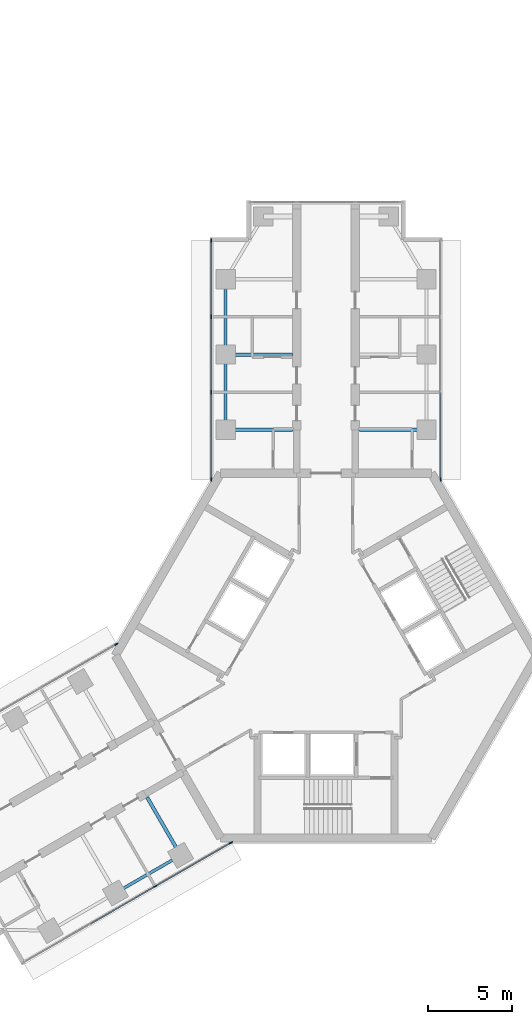
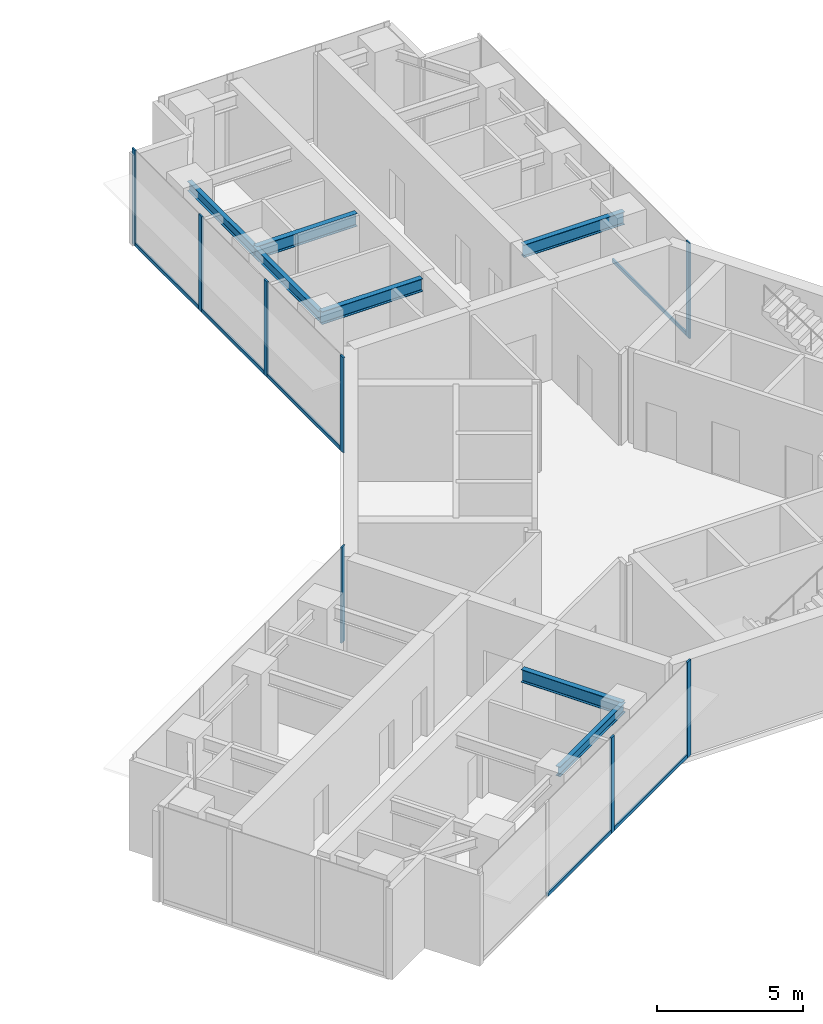
# One storey, part 8 of 17: 14 members, 7 beams, 4 elements without a shape of their own.
"""IFC4 building model written with IfcOpenShell, lengths in metres."""

from ifc_helpers import new_model, si_unit, direction, frame, origin, origin_2d, place, context, subcontext, project, spatial, rectangle, i_section, extrude, material, material_profile, profile_set, type_object, element, aggregate, save


model = new_model("IFC4")

# Units and contexts
model_context = context("Model", 3, precision=1e-05, world=origin(), true_north=direction((0.0, 1.0)))
body_context = subcontext(model_context, "Body", "Model", "MODEL_VIEW")
ifc_project = project(units=[si_unit("LENGTHUNIT", "METRE"), si_unit("AREAUNIT", "SQUARE_METRE"), si_unit("VOLUMEUNIT", "CUBIC_METRE"), si_unit("PLANEANGLEUNIT", "RADIAN"), si_unit("MASSUNIT", "GRAM", prefix="KILO")], contexts=[model_context])

# Site, building, storey
site_placement = place(None, origin())
site = spatial("IfcSite", under=ifc_project, at=site_placement, CompositionType="ELEMENT")
building_placement = place(site_placement, origin())
building = spatial("IfcBuilding", under=site, at=building_placement, Name="Upepo Twin Towers", CompositionType="ELEMENT")
storey_placement = place(building_placement, frame((0.0, 0.0, 194.5)))
storey = spatial("IfcBuildingStorey", under=building, at=storey_placement, Name="L47", CompositionType="ELEMENT", Elevation=194.5)

# Beams
ifc_material_1 = material(Name="Steel S355", Category="steel")
ifc_material_profile_1 = material_profile(ifc_material_1, i_section(OverallWidth=0.177978515625, OverallDepth=0.406494140625, WebThickness=0.0078125, FlangeThickness=0.0126953125, FilletRadius=0.01025390625, at=origin_2d()), Name="UB 406x178x60")
ifc_profile_set_1 = profile_set([ifc_material_profile_1], Name="Steel S355")
beam_type_1 = type_object("IfcBeamType", Name="Beam UB 406x178x60", PredefinedType="BEAM", material=ifc_profile_set_1)
for number, where, z_axis, x_axis, name in (
    (1, (52.5, -4.5, 3.5966796875), (0.0, 1.0, 0.0), (-1.0, 0.0, 0.0), "T2 edge beam AL 13.5-18.0"),
    (2, (52.5, 0.0, 3.5966796875), (0.0, 1.0, 0.0), (-1.0, 0.0, 0.0), "T2 edge beam AL 18.0-22.5"),
):
    element("IfcBeam", number, at=place(storey_placement, frame(where, z_axis=z_axis, x_axis=x_axis)), inside=storey, type_object=beam_type_1, Name=name, PredefinedType="BEAM", context=body_context, shape_type="SweptSolid", body=[
        extrude(i_section(OverallWidth=0.177978515625, OverallDepth=0.406494140625, WebThickness=0.0078125, FlangeThickness=0.0126953125, FilletRadius=0.01025390625, at=origin_2d()), origin(), (0.0, 0.0, 1.0), 4.5),
    ])
beam_placement = place(storey_placement, frame((49.80859375, -29.946044921875, 3.5966796875), z_axis=(-0.866017533419, -0.500013631625, 0.0), x_axis=(0.500013631625, -0.866017533419, 0.0)))
element("IfcBeam", 3, at=beam_placement, inside=storey, type_object=beam_type_1, Name="T2 edge beam BL 13.5-18.0", PredefinedType="BEAM", context=body_context, shape_type="SweptSolid", body=[
    extrude(i_section(OverallWidth=0.177978515625, OverallDepth=0.406494140625, WebThickness=0.0078125, FlangeThickness=0.0126953125, FilletRadius=0.01025390625, at=origin_2d()), origin(), (0.0, 0.0, 1.0), 4.499755859375),
])
ifc_material_2 = material(Name="Steel S355", Category="steel")
ifc_material_profile_2 = material_profile(ifc_material_2, i_section(OverallWidth=0.209228515625, OverallDepth=0.533203125, WebThickness=0.010009765625, FlangeThickness=0.015625, FilletRadius=0.0126953125, at=origin_2d()), Name="UB 533x210x92")
ifc_profile_set_2 = profile_set([ifc_material_profile_2], Name="Steel S355")
beam_type_2 = type_object("IfcBeamType", Name="Beam UB 533x210x92", PredefinedType="BEAM", material=ifc_profile_set_2)
for number, where, z_axis, x_axis, name in (
    (4, (52.5, -4.5, 3.533447265625), (1.0, 0.0, 0.0), (0.0, 1.0, 0.0), "T2 girder AL at 13.5"),
    (5, (52.5, 0.0, 3.533447265625), (1.0, 0.0, 0.0), (0.0, 1.0, 0.0), "T2 girder AL at 18.0"),
    (6, (64.5, -4.5, 3.533447265625), (-1.0, 0.0, 0.0), (0.0, -1.0, 0.0), "T2 girder AR at 13.5"),
    (7, (49.80859375, -29.946044921875, 3.533447265625), (-0.49999894854, 0.866026010844, 0.0), (-0.866026010844, -0.49999894854, 0.0), "T2 girder BL at 13.5"),
):
    element("IfcBeam", number, at=place(storey_placement, frame(where, z_axis=z_axis, x_axis=x_axis)), inside=storey, type_object=beam_type_2, Name=name, PredefinedType="BEAM", context=body_context, shape_type="SweptSolid", body=[
        extrude(i_section(OverallWidth=0.209228515625, OverallDepth=0.533203125, WebThickness=0.010009765625, FlangeThickness=0.015625, FilletRadius=0.0126953125, at=origin_2d()), origin(), (0.0, 0.0, 1.0), 4.0),
    ])

# Curtain wall, members
ifc_material_3 = material(Name="Aluminium and fritted glass", Category="aluminium")
curtain_wall_type = type_object("IfcCurtainWallType", Name="Tower curtain wall TW3, fritted glass", PredefinedType="NOTDEFINED", material=ifc_material_3)
curtain_wall_1_placement = place(storey_placement, origin())
curtain_wall_1 = element("IfcCurtainWall", 8, at=curtain_wall_1_placement, inside=storey, type_object=curtain_wall_type, Name="T2 L47 wing A flank L curtain wall", PredefinedType="NOTDEFINED")
ifc_material_4 = material(Name="Aluminium mullion", Category="aluminium")
ifc_material_profile_3 = material_profile(ifc_material_4, rectangle(XDim=0.06494140625, YDim=0.22509765625, at=origin_2d()), Name="MULLION 65x225")
ifc_profile_set_3 = profile_set([ifc_material_profile_3], Name="Aluminium mullion")
member_type_1 = type_object("IfcMemberType", Name="Mullion 65x225 TW3", PredefinedType="MULLION", material=ifc_profile_set_3)
member_1_placement = place(storey_placement, frame((51.64990234375, -7.48046875, 0.0), z_axis=(0.0, 0.0, 1.0), x_axis=(-1.0, 0.0, 0.0)))
member_1 = element("IfcMember", 9, at=member_1_placement, type_object=member_type_1, Name="T2 L47 wing A flank L curtain wall mullion 1", PredefinedType="MULLION", context=body_context, shape_type="SweptSolid", body=[
    extrude(rectangle(XDim=0.06494140625, YDim=0.22509765625, at=origin_2d()), origin(), (0.0, 0.0, 1.0), 4.0),
])
member_2_placement = place(storey_placement, frame((51.64990234375, -2.25, 0.0), z_axis=(0.0, 0.0, 1.0), x_axis=(-1.0, 0.0, 0.0)))
member_2 = element("IfcMember", 10, at=member_2_placement, type_object=member_type_1, Name="T2 L47 wing A flank L curtain wall mullion 2", PredefinedType="MULLION", context=body_context, shape_type="SweptSolid", body=[
    extrude(rectangle(XDim=0.06494140625, YDim=0.22509765625, at=origin_2d()), origin(), (0.0, 0.0, 1.0), 4.0),
])
member_3_placement = place(storey_placement, frame((51.64990234375, 2.25, 0.0), z_axis=(0.0, 0.0, 1.0), x_axis=(-1.0, 0.0, 0.0)))
member_3 = element("IfcMember", 11, at=member_3_placement, type_object=member_type_1, Name="T2 L47 wing A flank L curtain wall mullion 3", PredefinedType="MULLION", context=body_context, shape_type="SweptSolid", body=[
    extrude(rectangle(XDim=0.06494140625, YDim=0.22509765625, at=origin_2d()), origin(), (0.0, 0.0, 1.0), 4.0),
])
member_4_placement = place(storey_placement, frame((51.64990234375, 6.8173828125, 0.0), z_axis=(0.0, 0.0, 1.0), x_axis=(-1.0, 0.0, 0.0)))
member_4 = element("IfcMember", 12, at=member_4_placement, type_object=member_type_1, Name="T2 L47 wing A flank L curtain wall mullion 4", PredefinedType="MULLION", context=body_context, shape_type="SweptSolid", body=[
    extrude(rectangle(XDim=0.06494140625, YDim=0.22509765625, at=origin_2d()), origin(), (0.0, 0.0, 1.0), 4.0),
])

# Curtain wall, member
curtain_wall_2_placement = place(storey_placement, origin())
curtain_wall_2 = element("IfcCurtainWall", 13, at=curtain_wall_2_placement, inside=storey, type_object=curtain_wall_type, Name="T2 L47 wing A flank R curtain wall", PredefinedType="NOTDEFINED")
member_5_placement = place(storey_placement, frame((65.35009765625, -7.48046875, 0.0), z_axis=(0.0, 0.0, 1.0), x_axis=(1.0, 0.0, 0.0)))
member_5 = element("IfcMember", 14, at=member_5_placement, type_object=member_type_1, Name="T2 L47 wing A flank R curtain wall mullion 4", PredefinedType="MULLION", context=body_context, shape_type="SweptSolid", body=[
    extrude(rectangle(XDim=0.06494140625, YDim=0.22509765625, at=origin_2d()), origin(), (0.0, 0.0, 1.0), 4.0),
])

# Curtain wall, members
curtain_wall_3_placement = place(storey_placement, origin())
curtain_wall_3 = element("IfcCurtainWall", 15, at=curtain_wall_3_placement, inside=storey, type_object=curtain_wall_type, Name="T2 L47 wing B flank L curtain wall", PredefinedType="NOTDEFINED")
member_6_placement = place(storey_placement, frame((52.814697265625, -29.192138671875, 0.0), z_axis=(0.0, 0.0, 1.0), x_axis=(0.500000026527, -0.866025388469, 0.0)))
member_6 = element("IfcMember", 16, at=member_6_placement, type_object=member_type_1, Name="T2 L47 wing B flank L curtain wall mullion 1", PredefinedType="MULLION", context=body_context, shape_type="SweptSolid", body=[
    extrude(rectangle(XDim=0.06494140625, YDim=0.22509765625, at=origin_2d()), origin(), (0.0, 0.0, 1.0), 4.0),
])
member_7_placement = place(storey_placement, frame((48.28515625, -31.807373046875, 0.0), z_axis=(0.0, 0.0, 1.0), x_axis=(0.500000026527, -0.866025388469, 0.0)))
member_7 = element("IfcMember", 17, at=member_7_placement, type_object=member_type_1, Name="T2 L47 wing B flank L curtain wall mullion 2", PredefinedType="MULLION", context=body_context, shape_type="SweptSolid", body=[
    extrude(rectangle(XDim=0.06494140625, YDim=0.22509765625, at=origin_2d()), origin(), (0.0, 0.0, 1.0), 4.0),
])

# Curtain wall, member
curtain_wall_4_placement = place(storey_placement, origin())
curtain_wall_4 = element("IfcCurtainWall", 18, at=curtain_wall_4_placement, inside=storey, type_object=curtain_wall_type, Name="T2 L47 wing B flank R curtain wall", PredefinedType="NOTDEFINED")
member_8_placement = place(storey_placement, frame((45.96484375, -17.32763671875, 0.0), z_axis=(0.0, 0.0, 1.0), x_axis=(-0.500000026527, 0.866025388469, 0.0)))
member_8 = element("IfcMember", 19, at=member_8_placement, type_object=member_type_1, Name="T2 L47 wing B flank R curtain wall mullion 4", PredefinedType="MULLION", context=body_context, shape_type="SweptSolid", body=[
    extrude(rectangle(XDim=0.06494140625, YDim=0.22509765625, at=origin_2d()), origin(), (0.0, 0.0, 1.0), 4.0),
])
aggregate(curtain_wall_4, [member_8])

# Member
ifc_material_5 = material(Name="Aluminium transom", Category="aluminium")
ifc_material_profile_4 = material_profile(ifc_material_5, rectangle(XDim=0.06494140625, YDim=0.14990234375, at=origin_2d()), Name="TRANSOM 65x150")
ifc_profile_set_4 = profile_set([ifc_material_profile_4], Name="Aluminium transom")
member_type_2 = type_object("IfcMemberType", Name="Transom 65x150 TW3", PredefinedType="USERDEFINED", material=ifc_profile_set_4)
member_9_placement = place(storey_placement, frame((51.64990234375, -7.447998046875, 0.074951171875), z_axis=(0.0, 1.0, 0.0), x_axis=(-1.0, 0.0, 0.0)))
member_9 = element("IfcMember", 20, at=member_9_placement, type_object=member_type_2, Name="T2 L47 wing A flank L curtain wall transom 1", ObjectType="TRANSOM", PredefinedType="USERDEFINED", context=body_context, shape_type="SweptSolid", body=[
    extrude(rectangle(XDim=0.06494140625, YDim=0.14990234375, at=origin_2d()), origin(), (0.0, 0.0, 1.0), 5.16552734375),
])

member_10_placement = place(storey_placement, frame((51.64990234375, -2.217529296875, 0.074951171875), z_axis=(0.0, 1.0, 0.0), x_axis=(-1.0, 0.0, 0.0)))
member_10 = element("IfcMember", 21, at=member_10_placement, type_object=member_type_2, Name="T2 L47 wing A flank L curtain wall transom 2", ObjectType="TRANSOM", PredefinedType="USERDEFINED", context=body_context, shape_type="SweptSolid", body=[
    extrude(rectangle(XDim=0.06494140625, YDim=0.14990234375, at=origin_2d()), origin(), (0.0, 0.0, 1.0), 4.43505859375),
])

member_11_placement = place(storey_placement, frame((51.64990234375, 2.282470703125, 0.074951171875), z_axis=(0.0, 1.0, 0.0), x_axis=(-1.0, 0.0, 0.0)))
member_11 = element("IfcMember", 22, at=member_11_placement, type_object=member_type_2, Name="T2 L47 wing A flank L curtain wall transom 3", ObjectType="TRANSOM", PredefinedType="USERDEFINED", context=body_context, shape_type="SweptSolid", body=[
    extrude(rectangle(XDim=0.06494140625, YDim=0.14990234375, at=origin_2d()), origin(), (0.0, 0.0, 1.0), 4.50244140625),
])

aggregate(curtain_wall_1, [member_1, member_2, member_3, member_4, member_9, member_10, member_11])

member_12_placement = place(storey_placement, frame((65.35009765625, -2.282470703125, 0.074951171875), z_axis=(0.0, -1.0, 0.0), x_axis=(1.0, 0.0, 0.0)))
member_12 = element("IfcMember", 23, at=member_12_placement, type_object=member_type_2, Name="T2 L47 wing A flank R curtain wall transom 3", ObjectType="TRANSOM", PredefinedType="USERDEFINED", context=body_context, shape_type="SweptSolid", body=[
    extrude(rectangle(XDim=0.06494140625, YDim=0.14990234375, at=origin_2d()), origin(), (0.0, 0.0, 1.0), 5.16552734375),
])

aggregate(curtain_wall_2, [member_5, member_12])

member_13_placement = place(storey_placement, frame((52.78662109375, -29.208251953125, 0.074951171875), z_axis=(-0.86602108507, -0.500007480159, 0.0), x_axis=(0.500007480159, -0.86602108507, 0.0)))
member_13 = element("IfcMember", 24, at=member_13_placement, type_object=member_type_2, Name="T2 L47 wing B flank L curtain wall transom 1", ObjectType="TRANSOM", PredefinedType="USERDEFINED", context=body_context, shape_type="SweptSolid", body=[
    extrude(rectangle(XDim=0.06494140625, YDim=0.14990234375, at=origin_2d()), origin(), (0.0, 0.0, 1.0), 5.16552734375),
])

member_14_placement = place(storey_placement, frame((48.2568359375, -31.823486328125, 0.074951171875), z_axis=(-0.866022410713, -0.500005184116, 0.0), x_axis=(0.500005184116, -0.866022410713, 0.0)))
member_14 = element("IfcMember", 25, at=member_14_placement, type_object=member_type_2, Name="T2 L47 wing B flank L curtain wall transom 2", ObjectType="TRANSOM", PredefinedType="USERDEFINED", context=body_context, shape_type="SweptSolid", body=[
    extrude(rectangle(XDim=0.06494140625, YDim=0.14990234375, at=origin_2d()), origin(), (0.0, 0.0, 1.0), 4.43505859375),
])

aggregate(curtain_wall_3, [member_6, member_7, member_13, member_14])

save(model, "model.ifc")
